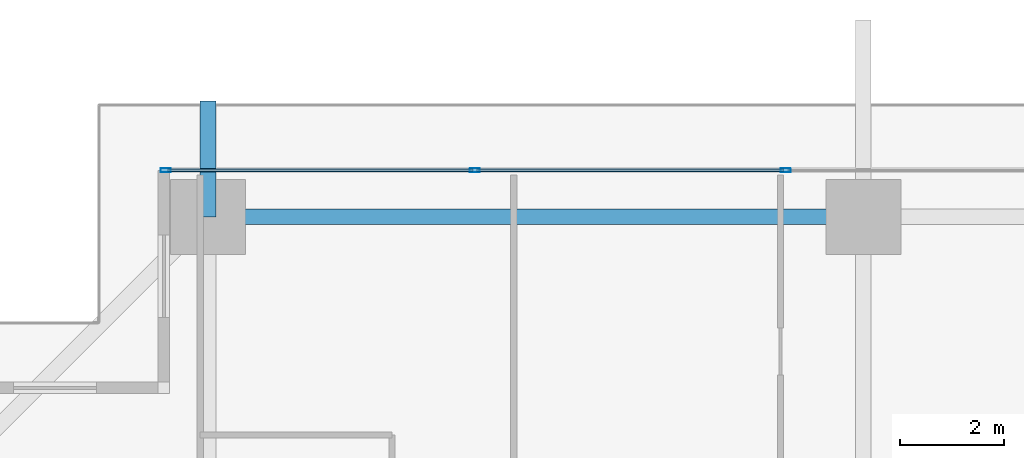
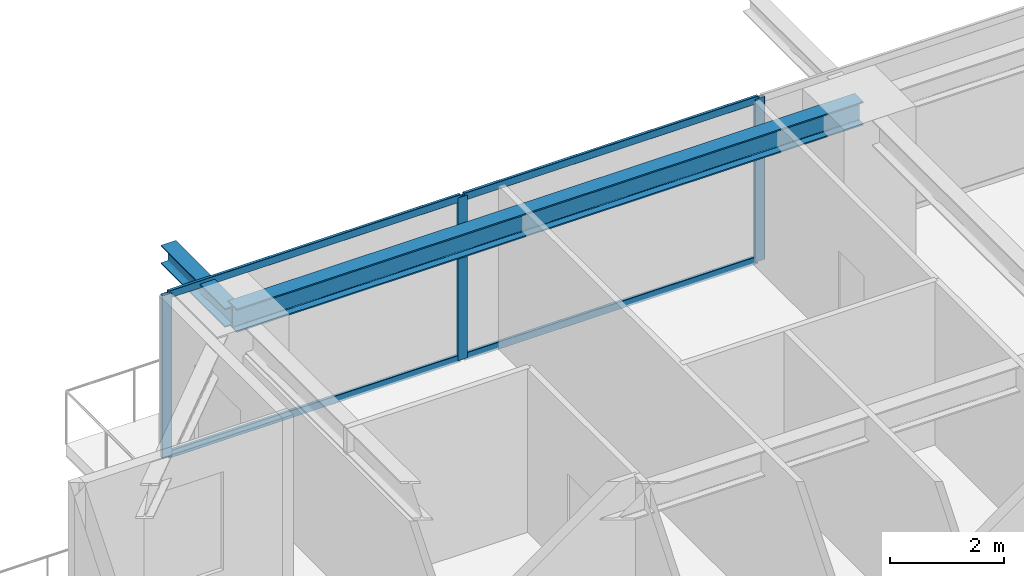
# One storey, part 20 of 39: 7 members, 2 beams, 1 element without a shape of its own.
"""IFC4 building model written with IfcOpenShell, lengths in metres."""

from ifc_helpers import new_model, si_unit, direction, frame, origin, origin_2d, place, context, subcontext, project, spatial, hollow_rectangle, i_section, extrude, source, transform, mapped, material, layer, layer_set, material_profile, profile_set, type_object, element, aggregate, save


model = new_model("IFC4")

# Units and contexts
model_context = context("Model", 3, precision=1e-05, world=origin(), true_north=direction((0.0, 1.0)))
body_context = subcontext(model_context, "Body", "Model", "MODEL_VIEW")
ifc_project = project(units=[si_unit("LENGTHUNIT", "METRE"), si_unit("AREAUNIT", "SQUARE_METRE"), si_unit("VOLUMEUNIT", "CUBIC_METRE"), si_unit("PLANEANGLEUNIT", "RADIAN"), si_unit("MASSUNIT", "GRAM", prefix="KILO")], contexts=[model_context])

# Site, building, storey
site_placement = place(None, origin())
site = spatial("IfcSite", under=ifc_project, at=site_placement, CompositionType="ELEMENT")
building_placement = place(site_placement, origin())
building = spatial("IfcBuilding", under=site, at=building_placement, Name="Serunith Strait Residences", CompositionType="ELEMENT")
storey_placement = place(building_placement, frame((0.0, 0.0, 79.199951171875)))
storey = spatial("IfcBuildingStorey", under=building, at=storey_placement, Name="L19", CompositionType="ELEMENT", Elevation=79.199951171875)

# Beams
ifc_material_1 = material(Name="Steel S355J2", Category="steel")
ifc_material_profile_1 = material_profile(ifc_material_1, i_section(OverallWidth=0.300048828125, OverallDepth=0.5, WebThickness=0.014404296875, FlangeThickness=0.028076171875, FilletRadius=0.027099609375, at=origin_2d()), Name="HEB 500")
ifc_profile_set_1 = profile_set([ifc_material_profile_1], Name="Steel S355J2")
beam_type_1 = type_object("IfcBeamType", Name="BM-HEB500", PredefinedType="BEAM", material=ifc_profile_set_1)
shared_shape_1 = source(origin(), body_context, "Body", "SweptSolid", [
    extrude(i_section(OverallWidth=0.300048828125, OverallDepth=0.5, WebThickness=0.014404296875, FlangeThickness=0.028076171875, FilletRadius=0.027099609375, at=origin_2d()), origin(), (0.0, 0.0, 1.0), 12.64990234375),
])
beam_1_placement = place(storey_placement, frame((27.89990234375, 49.300048828125, 3.237060546875), z_axis=(-1.0, 0.0, 0.0), x_axis=(0.0, -1.0, 0.0)))
element("IfcBeam", 1, at=beam_1_placement, inside=storey, type_object=beam_type_1, Name="L19 Perimeter Ring Beam 11", PredefinedType="BEAM", context=body_context, shape_type="MappedRepresentation", body=[
    mapped(shared_shape_1, transform((0.0, 0.0, 0.0), scale=1.0)),
])
ifc_material_profile_2 = material_profile(ifc_material_1, i_section(OverallWidth=0.300048828125, OverallDepth=0.39990234375, WebThickness=0.013427734375, FlangeThickness=0.02392578125, FilletRadius=0.027099609375, at=origin_2d()), Name="HEB 400")
ifc_profile_set_2 = profile_set([ifc_material_profile_2], Name="Steel S355J2")
beam_type_2 = type_object("IfcBeamType", Name="BM-HEB400", PredefinedType="BEAM", material=ifc_profile_set_2)
shared_shape_2 = source(origin(), body_context, "Body", "SweptSolid", [
    extrude(i_section(OverallWidth=0.300048828125, OverallDepth=0.39990234375, WebThickness=0.013427734375, FlangeThickness=0.02392578125, FilletRadius=0.027099609375, at=origin_2d()), origin(), (0.0, 0.0, 1.0), 2.23779296875),
])
beam_2_placement = place(storey_placement, frame((15.25, 49.300048828125, 3.257080078125), z_axis=(0.0, 1.0, 0.0), x_axis=(-1.0, 0.0, 0.0)))
element("IfcBeam", 2, at=beam_2_placement, inside=storey, type_object=beam_type_2, Name="L20 Cantilevered Balcony Rib TC-N1", PredefinedType="BEAM", context=body_context, shape_type="MappedRepresentation", body=[
    mapped(shared_shape_2, transform((0.0, 0.0, 0.0), scale=1.0)),
])

# Curtain wall, members
ifc_material_2 = material(Name="Pale-Champagne Anodised Aluminium", Category="aluminium")
ifc_layer = layer(ifc_material_2, 0.199951171875, Name="Pale-Champagne Anodised Aluminium")
ifc_layer_set = layer_set([ifc_layer], Name="Pale-Champagne Anodised Aluminium")
curtain_wall_type = type_object("IfcCurtainWallType", Name="CW-SYS1", PredefinedType="NOTDEFINED", material=ifc_layer_set)
curtain_wall_placement = place(storey_placement, origin())
curtain_wall = element("IfcCurtainWall", 3, at=curtain_wall_placement, inside=storey, type_object=curtain_wall_type, Name="L19 N Unitised Fritted Curtain Wall", PredefinedType="NOTDEFINED")
ifc_material_profile_3 = material_profile(ifc_material_2, hollow_rectangle(XDim=0.070068359375, YDim=0.199951171875, WallThickness=0.00390625, InnerFilletRadius=0.006103515625, OuterFilletRadius=0.010009765625, at=origin_2d()), Name="ALU 200x70x4")
ifc_profile_set_3 = profile_set([ifc_material_profile_3], Name="Pale-Champagne Anodised Aluminium")
member_type_1 = type_object("IfcMemberType", Name="CW-SYS1-MULL", PredefinedType="MULLION", material=ifc_profile_set_3)
shared_shape_3 = source(origin(), body_context, "Body", "SweptSolid", [
    extrude(hollow_rectangle(XDim=0.070068359375, YDim=0.199951171875, WallThickness=0.00390625, InnerFilletRadius=0.006103515625, OuterFilletRadius=0.010009765625, at=origin_2d()), origin(), (0.0, 0.0, 1.0), 3.47509765625),
])
member_1_placement = place(storey_placement, frame((26.39990234375, 50.199951171875, 0.0), z_axis=(0.0, 0.0, 1.0), x_axis=(0.0, -1.0, 0.0)))
member_1 = element("IfcMember", 4, at=member_1_placement, type_object=member_type_1, Name="CW-1 mullion 5", PredefinedType="MULLION", context=body_context, shape_type="MappedRepresentation", body=[
    mapped(shared_shape_3, transform((0.0, 0.0, 0.0), scale=1.0)),
])
member_2_placement = place(storey_placement, frame((20.39990234375, 50.199951171875, 0.0), z_axis=(0.0, 0.0, 1.0), x_axis=(0.0, -1.0, 0.0)))
member_2 = element("IfcMember", 5, at=member_2_placement, type_object=member_type_1, Name="CW-1 mullion 6", PredefinedType="MULLION", context=body_context, shape_type="MappedRepresentation", body=[
    mapped(shared_shape_3, transform((0.0, 0.0, 0.0), scale=1.0)),
])
member_3_placement = place(storey_placement, frame((14.43505859375, 50.199951171875, 0.0), z_axis=(0.0, 0.0, 1.0), x_axis=(0.0, -1.0, 0.0)))
member_3 = element("IfcMember", 6, at=member_3_placement, type_object=member_type_1, Name="CW-1 mullion 7", PredefinedType="MULLION", context=body_context, shape_type="MappedRepresentation", body=[
    mapped(shared_shape_3, transform((0.0, 0.0, 0.0), scale=1.0)),
])
ifc_material_profile_4 = material_profile(ifc_material_2, hollow_rectangle(XDim=0.06005859375, YDim=0.159912109375, WallThickness=0.00341796875, InnerFilletRadius=0.00537109375, OuterFilletRadius=0.0087890625, at=origin_2d()), Name="ALU 160x60x3.5")
ifc_profile_set_4 = profile_set([ifc_material_profile_4], Name="Pale-Champagne Anodised Aluminium")
member_type_2 = type_object("IfcMemberType", Name="CW-SYS1-TRAN", PredefinedType="USERDEFINED", material=ifc_profile_set_4)
shared_shape_4 = source(origin(), body_context, "Body", "SweptSolid", [
    extrude(hollow_rectangle(XDim=0.06005859375, YDim=0.159912109375, WallThickness=0.00341796875, InnerFilletRadius=0.00537109375, OuterFilletRadius=0.0087890625, at=origin_2d()), origin(), (0.0, 0.0, 1.0), 5.89501953125),
])
member_4_placement = place(storey_placement, frame((20.364990234375, 50.199951171875, 0.030029296875), z_axis=(-1.0, 0.0, 0.0), x_axis=(0.0, -1.0, 0.0)))
member_4 = element("IfcMember", 7, at=member_4_placement, type_object=member_type_2, Name="CW-1 transom 6.1", ObjectType="TRANSOM", PredefinedType="USERDEFINED", context=body_context, shape_type="MappedRepresentation", body=[
    mapped(shared_shape_4, transform((0.0, 0.0, 0.0), scale=1.0)),
])
member_5_placement = place(storey_placement, frame((20.364990234375, 50.199951171875, 3.445068359375), z_axis=(-1.0, 0.0, 0.0), x_axis=(0.0, -1.0, 0.0)))
member_5 = element("IfcMember", 8, at=member_5_placement, type_object=member_type_2, Name="CW-1 transom 6.2", ObjectType="TRANSOM", PredefinedType="USERDEFINED", context=body_context, shape_type="MappedRepresentation", body=[
    mapped(shared_shape_4, transform((0.0, 0.0, 0.0), scale=1.0)),
])
shared_shape_5 = source(origin(), body_context, "Body", "SweptSolid", [
    extrude(hollow_rectangle(XDim=0.06005859375, YDim=0.159912109375, WallThickness=0.00341796875, InnerFilletRadius=0.00537109375, OuterFilletRadius=0.0087890625, at=origin_2d()), origin(), (0.0, 0.0, 1.0), 5.929931640625),
])
member_6_placement = place(storey_placement, frame((26.364990234375, 50.199951171875, 0.030029296875), z_axis=(-1.0, 0.0, 0.0), x_axis=(0.0, -1.0, 0.0)))
member_6 = element("IfcMember", 9, at=member_6_placement, type_object=member_type_2, Name="CW-1 transom 5.1", ObjectType="TRANSOM", PredefinedType="USERDEFINED", context=body_context, shape_type="MappedRepresentation", body=[
    mapped(shared_shape_5, transform((0.0, 0.0, 0.0), scale=1.0)),
])
member_7_placement = place(storey_placement, frame((26.364990234375, 50.199951171875, 3.445068359375), z_axis=(-1.0, 0.0, 0.0), x_axis=(0.0, -1.0, 0.0)))
member_7 = element("IfcMember", 10, at=member_7_placement, type_object=member_type_2, Name="CW-1 transom 5.2", ObjectType="TRANSOM", PredefinedType="USERDEFINED", context=body_context, shape_type="MappedRepresentation", body=[
    mapped(shared_shape_5, transform((0.0, 0.0, 0.0), scale=1.0)),
])
aggregate(curtain_wall, [member_1, member_2, member_3, member_6, member_7, member_4, member_5])

save(model, "model.ifc")
